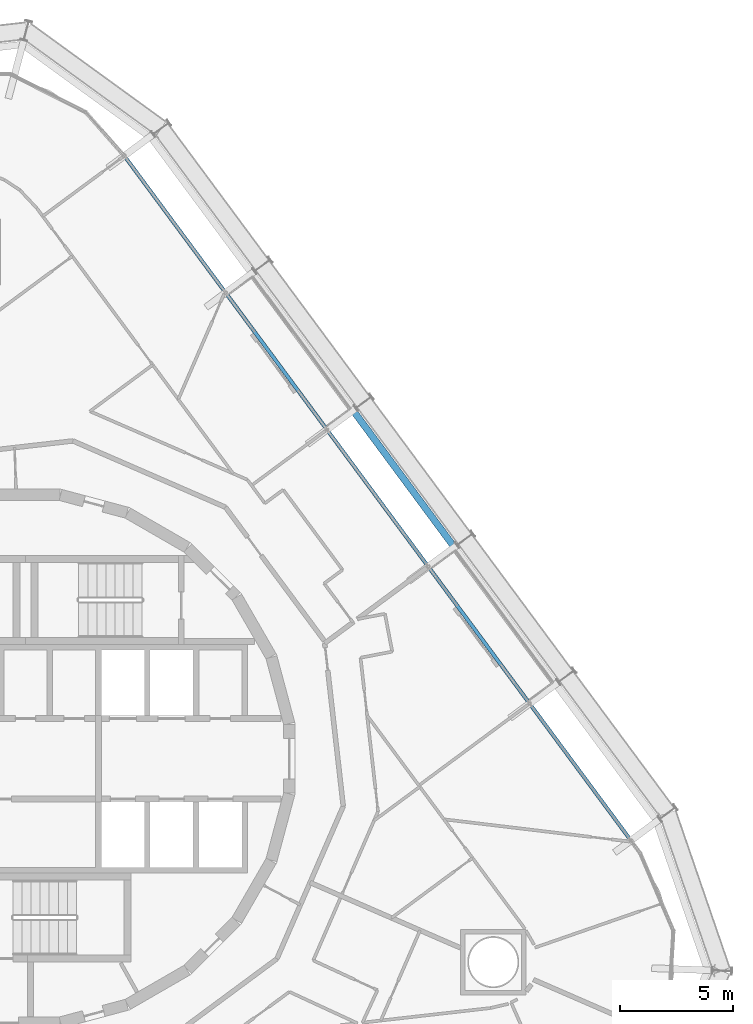
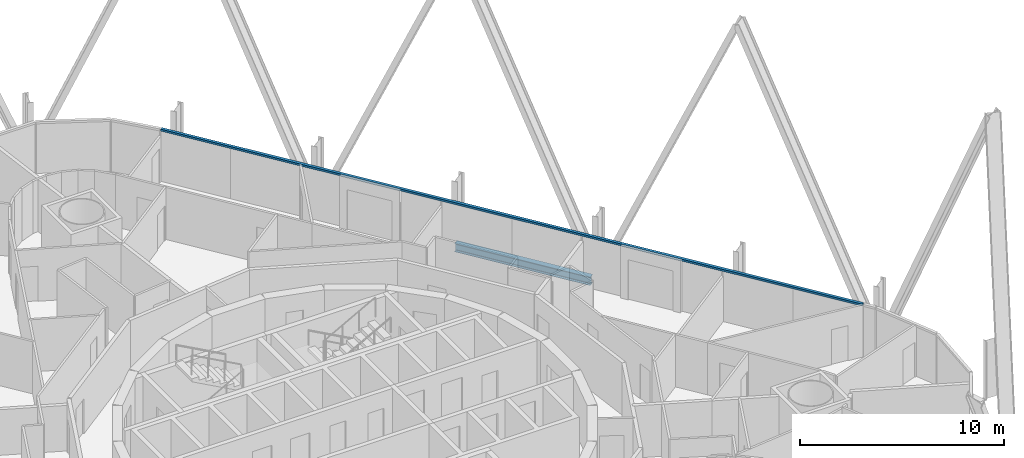
# One storey, part 10 of 23: 1 beam, 1 member, 1 element without a shape of its own.
"""IFC4 building model written with IfcOpenShell, lengths in metres."""

from ifc_helpers import new_model, si_unit, direction, frame, origin, origin_2d, place, context, subcontext, project, spatial, rectangle, i_section, extrude, material, layer, layer_set, material_profile, profile_set, type_object, element, aggregate, save


model = new_model("IFC4")

# Units and contexts
model_context = context("Model", 3, precision=1e-05, world=origin(), true_north=direction((0.0, 1.0)))
body_context = subcontext(model_context, "Body", "Model", "MODEL_VIEW")
ifc_project = project(units=[si_unit("LENGTHUNIT", "METRE"), si_unit("AREAUNIT", "SQUARE_METRE"), si_unit("VOLUMEUNIT", "CUBIC_METRE"), si_unit("PLANEANGLEUNIT", "RADIAN"), si_unit("MASSUNIT", "GRAM", prefix="KILO")], contexts=[model_context])

# Site, building, storey
site_placement = place(None, origin())
site = spatial("IfcSite", under=ifc_project, at=site_placement, CompositionType="ELEMENT")
building_placement = place(site_placement, origin())
building = spatial("IfcBuilding", under=site, at=building_placement, Name="Spindle Arch Residences", CompositionType="ELEMENT")
storey_placement = place(building_placement, frame((0.0, 0.0, 90.699951171875)))
storey = spatial("IfcBuildingStorey", under=building, at=storey_placement, Name="L21", CompositionType="ELEMENT", Elevation=90.699951171875)

# Curtain wall, member
ifc_material_1 = material(Name="Aluminium bronze unitised frame with tinted glass", Category="aluminium")
ifc_layer = layer(ifc_material_1, 0.159912109375)
ifc_layer_set = layer_set([ifc_layer], Name="CW-C typical residential unitised wall")
curtain_wall_type = type_object("IfcCurtainWallType", Name="CW-C typical residential unitised wall", PredefinedType="NOTDEFINED", material=ifc_layer_set)
curtain_wall_placement = place(storey_placement, origin())
curtain_wall = element("IfcCurtainWall", 1, at=curtain_wall_placement, inside=storey, type_object=curtain_wall_type, Name="CW-C L21 run 2", PredefinedType="NOTDEFINED")
ifc_material_2 = material(Name="Aluminium bronze anodised transom", Category="aluminium")
ifc_material_profile_1 = material_profile(ifc_material_2, rectangle(XDim=0.159912109375, YDim=0.1201171875, at=origin_2d()), Name="TR 120x160")
ifc_profile_set_1 = profile_set([ifc_material_profile_1], Name="Aluminium bronze anodised transom")
member_type = type_object("IfcMemberType", Name="Bronze transom 120x160", PredefinedType="USERDEFINED", material=ifc_profile_set_1)
member_placement = place(storey_placement, frame((26.707763671875, -3.583740234375, 3.06005859375), z_axis=(-0.594822410752, 0.803857138842, 0.0), x_axis=(-0.803857138842, -0.594822410752, 0.0)))
member = element("IfcMember", 2, at=member_placement, type_object=member_type, Name="CW-C transom 00", ObjectType="TRANSOM", PredefinedType="USERDEFINED", context=body_context, shape_type="SweptSolid", body=[
    extrude(rectangle(XDim=0.159912109375, YDim=0.1201171875, at=origin_2d()), origin(), (0.0, 0.0, 1.0), 37.5341796875),
])
aggregate(curtain_wall, [member])

# Beam
ifc_material_3 = material(Name="Steel S460ML, intumescent coating R 120", Category="steel")
ifc_material_profile_2 = material_profile(ifc_material_3, i_section(OverallWidth=0.300048828125, OverallDepth=0.5, WebThickness=0.014404296875, FlangeThickness=0.028076171875, FilletRadius=0.027099609375, at=origin_2d()), Name="HEB 500")
ifc_profile_set_2 = profile_set([ifc_material_profile_2], Name="Steel S460ML, intumescent coating R 120")
beam_type = type_object("IfcBeamType", Name="Exoskeleton edge beam HEB 500", PredefinedType="BEAM", material=ifc_profile_set_2)
beam_placement = place(storey_placement, frame((18.85546875, 9.437255859375, -0.6298828125), z_axis=(-0.59484300541, 0.803841899203, 0.0), x_axis=(-0.803841899203, -0.59484300541, 0.0)))
element("IfcBeam", 3, at=beam_placement, inside=storey, type_object=beam_type, Name="Exoskeleton edge beam 8", PredefinedType="BEAM", context=body_context, shape_type="SweptSolid", body=[
    extrude(i_section(OverallWidth=0.300048828125, OverallDepth=0.5, WebThickness=0.014404296875, FlangeThickness=0.028076171875, FilletRadius=0.027099609375, at=origin_2d()), origin(), (0.0, 0.0, 1.0), 7.2587890625),
])

save(model, "model.ifc")
